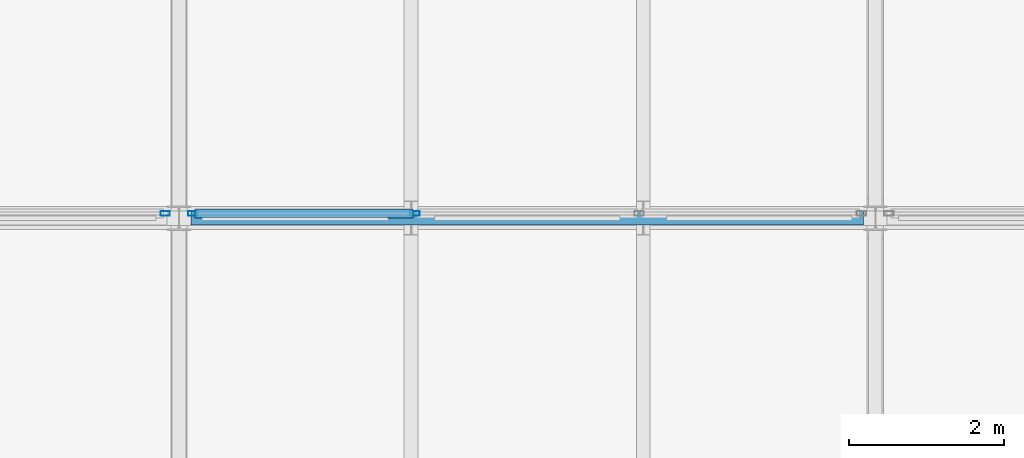
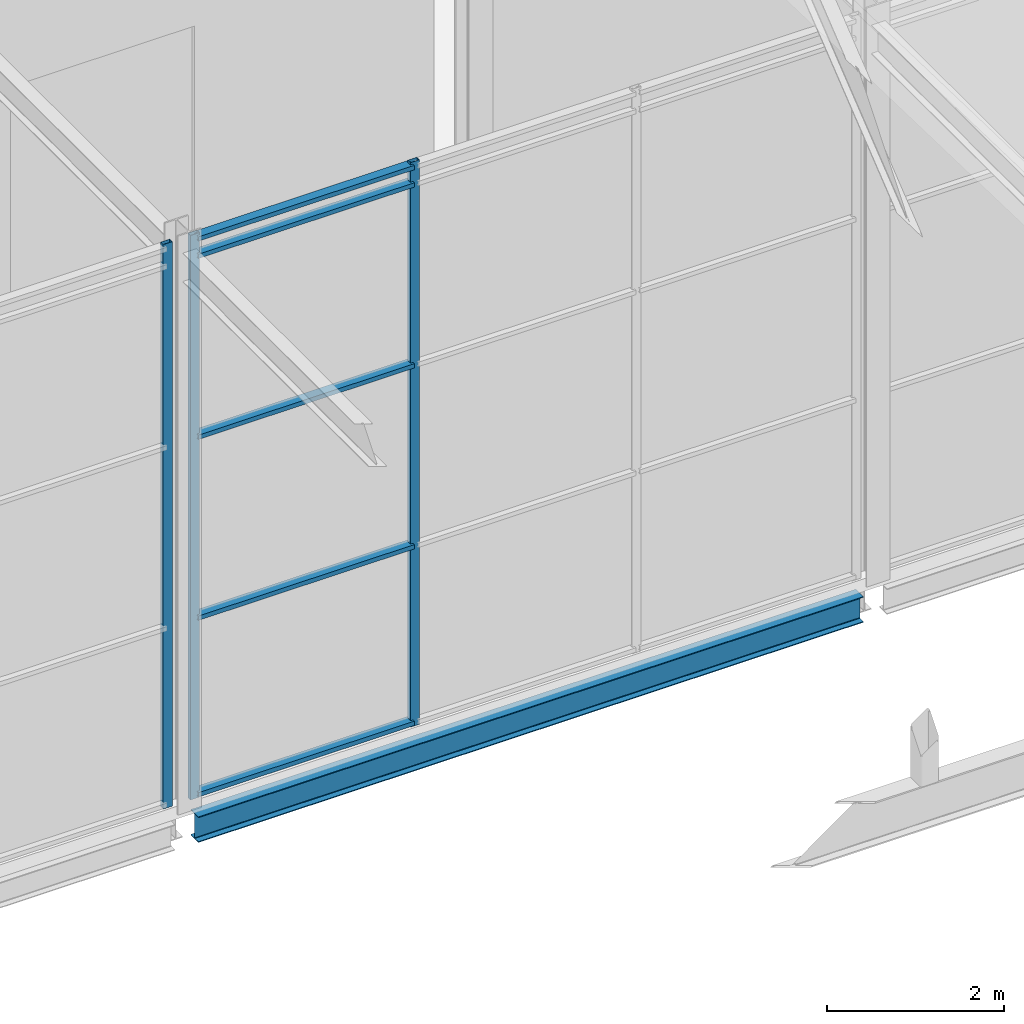
# One storey, part 47 of 144: 8 members, 1 beam, 2 elements without a shape of their own.
"""IFC4 building model written with IfcOpenShell, lengths in metres."""

from ifc_helpers import new_model, si_unit, direction, frame, origin, origin_2d, place, context, subcontext, project, spatial, hollow_rectangle, i_section, extrude, material, layer, layer_set, material_profile, profile_set, type_object, element, aggregate, save


model = new_model("IFC4")

# Units and contexts
model_context = context("Model", 3, precision=1e-05, world=origin(), true_north=direction((0.0, 1.0)))
body_context = subcontext(model_context, "Body", "Model", "MODEL_VIEW")
ifc_project = project(units=[si_unit("LENGTHUNIT", "METRE"), si_unit("AREAUNIT", "SQUARE_METRE"), si_unit("VOLUMEUNIT", "CUBIC_METRE"), si_unit("PLANEANGLEUNIT", "RADIAN"), si_unit("MASSUNIT", "GRAM", prefix="KILO")], contexts=[model_context])

# Site, building, storey
site_placement = place(None, origin())
site = spatial("IfcSite", under=ifc_project, at=site_placement, CompositionType="ELEMENT")
building_placement = place(site_placement, origin())
building = spatial("IfcBuilding", under=site, at=building_placement, Name="Shorebreak Coast Museum", CompositionType="ELEMENT")
storey_placement = place(building_placement, frame((0.0, 0.0, 36.0)))
storey = spatial("IfcBuildingStorey", under=building, at=storey_placement, Name="L06", CompositionType="ELEMENT", Elevation=36.0)

# Beam
ifc_material_1 = material(Name="Steel Grade 300", Category="steel")
ifc_material_profile_1 = material_profile(ifc_material_1, i_section(OverallWidth=0.1708984375, OverallDepth=0.355712890625, WebThickness=0.00732421875, FlangeThickness=0.011474609375, FilletRadius=0.011474609375, at=origin_2d()), Name="360UB50.7")
ifc_profile_set_1 = profile_set([ifc_material_profile_1], Name="Steel Grade 300")
beam_type = type_object("IfcBeamType", Name="Floor girder east-west 360UB50.7", PredefinedType="BEAM", material=ifc_profile_set_1)
beam_placement = place(storey_placement, frame((72.153564453125, 81.0, -0.352783203125), z_axis=(1.0, 0.0, 0.0), x_axis=(0.0, 1.0, 0.0)))
element("IfcBeam", 1, at=beam_placement, inside=storey, type_object=beam_type, Name="Floor girder east-west L06 9K", PredefinedType="BEAM", context=body_context, shape_type="SweptSolid", body=[
    extrude(i_section(OverallWidth=0.1708984375, OverallDepth=0.355712890625, WebThickness=0.00732421875, FlangeThickness=0.011474609375, FilletRadius=0.011474609375, at=origin_2d()), origin(), (0.0, 0.0, 1.0), 8.69287109375),
])

# Curtain wall, member
ifc_material_2 = material(Name="Aluminium", Category="aluminium")
ifc_layer = layer(ifc_material_2, 0.1201171875)
ifc_layer_set = layer_set([ifc_layer], Name="Aluminium")
curtain_wall_type = type_object("IfcCurtainWallType", Name="Atrium fire screen", PredefinedType="NOTDEFINED", material=ifc_layer_set)
curtain_wall_1_placement = place(storey_placement, origin())
curtain_wall_1 = element("IfcCurtainWall", 2, at=curtain_wall_1_placement, inside=storey, type_object=curtain_wall_type, Name="Atrium screen L06 N 84", PredefinedType="NOTDEFINED")
ifc_material_3 = material(Name="Aluminium", Category="aluminium")
ifc_material_profile_2 = material_profile(ifc_material_3, hollow_rectangle(XDim=0.06005859375, YDim=0.1201171875, WallThickness=0.00341796875, at=origin_2d()), Name="AL 120x60 RHS")
ifc_profile_set_2 = profile_set([ifc_material_profile_2], Name="Aluminium")
member_type_1 = type_object("IfcMemberType", Name="Screen mullion 50 x 120", PredefinedType="MULLION", material=ifc_profile_set_2)
member_1_placement = place(storey_placement, frame((71.821533203125, 81.06005859375, 0.0), z_axis=(0.0, 0.0, 1.0), x_axis=(0.0, 1.0, 0.0)))
member_1 = element("IfcMember", 3, at=member_1_placement, type_object=member_type_1, Name="CW4 mullion 4", PredefinedType="MULLION", context=body_context, shape_type="SweptSolid", body=[
    extrude(hollow_rectangle(XDim=0.06005859375, YDim=0.1201171875, WallThickness=0.00341796875, at=origin_2d()), origin(), (0.0, 0.0, 1.0), 7.800048828125),
])
aggregate(curtain_wall_1, [member_1])

# Curtain wall, members
curtain_wall_2_placement = place(storey_placement, origin())
curtain_wall_2 = element("IfcCurtainWall", 4, at=curtain_wall_2_placement, inside=storey, type_object=curtain_wall_type, Name="Atrium screen L06 N 85", PredefinedType="NOTDEFINED")
member_2_placement = place(storey_placement, frame((72.178466796875, 81.06005859375, 0.0), z_axis=(0.0, 0.0, 1.0), x_axis=(0.0, 1.0, 0.0)))
member_2 = element("IfcMember", 5, at=member_2_placement, type_object=member_type_1, Name="CW5 mullion 1", PredefinedType="MULLION", context=body_context, shape_type="SweptSolid", body=[
    extrude(hollow_rectangle(XDim=0.06005859375, YDim=0.1201171875, WallThickness=0.00341796875, at=origin_2d()), origin(), (0.0, 0.0, 1.0), 7.800048828125),
])
member_3_placement = place(storey_placement, frame((75.05126953125, 81.06005859375, 0.0), z_axis=(0.0, 0.0, 1.0), x_axis=(0.0, 1.0, 0.0)))
member_3 = element("IfcMember", 6, at=member_3_placement, type_object=member_type_1, Name="CW5 mullion 2", PredefinedType="MULLION", context=body_context, shape_type="SweptSolid", body=[
    extrude(hollow_rectangle(XDim=0.06005859375, YDim=0.1201171875, WallThickness=0.00341796875, at=origin_2d()), origin(), (0.0, 0.0, 1.0), 7.800048828125),
])
ifc_material_4 = material(Name="Aluminium", Category="aluminium")
ifc_material_profile_3 = material_profile(ifc_material_4, hollow_rectangle(XDim=0.1201171875, YDim=0.06005859375, WallThickness=0.00341796875, at=origin_2d()), Name="AL 60x120 RHS")
ifc_profile_set_3 = profile_set([ifc_material_profile_3], Name="Aluminium")
member_type_2 = type_object("IfcMemberType", Name="Screen transom 120 x 50", PredefinedType="USERDEFINED", material=ifc_profile_set_3)
member_4_placement = place(storey_placement, frame((72.20361328125, 81.06005859375, 0.06005859375), z_axis=(1.0, 0.0, 0.0), x_axis=(0.0, 1.0, 0.0)))
member_4 = element("IfcMember", 7, at=member_4_placement, type_object=member_type_2, Name="CW5 transom 1.1", ObjectType="TRANSOM", PredefinedType="USERDEFINED", context=body_context, shape_type="SweptSolid", body=[
    extrude(hollow_rectangle(XDim=0.1201171875, YDim=0.06005859375, WallThickness=0.00341796875, at=origin_2d()), origin(), (0.0, 0.0, 1.0), 2.822509765625),
])
member_5_placement = place(storey_placement, frame((72.20361328125, 81.06005859375, 2.5), z_axis=(1.0, 0.0, 0.0), x_axis=(0.0, 1.0, 0.0)))
member_5 = element("IfcMember", 8, at=member_5_placement, type_object=member_type_2, Name="CW5 transom 1.2", ObjectType="TRANSOM", PredefinedType="USERDEFINED", context=body_context, shape_type="SweptSolid", body=[
    extrude(hollow_rectangle(XDim=0.1201171875, YDim=0.06005859375, WallThickness=0.00341796875, at=origin_2d()), origin(), (0.0, 0.0, 1.0), 2.822509765625),
])
member_6_placement = place(storey_placement, frame((72.20361328125, 81.06005859375, 5.0), z_axis=(1.0, 0.0, 0.0), x_axis=(0.0, 1.0, 0.0)))
member_6 = element("IfcMember", 9, at=member_6_placement, type_object=member_type_2, Name="CW5 transom 1.3", ObjectType="TRANSOM", PredefinedType="USERDEFINED", context=body_context, shape_type="SweptSolid", body=[
    extrude(hollow_rectangle(XDim=0.1201171875, YDim=0.06005859375, WallThickness=0.00341796875, at=origin_2d()), origin(), (0.0, 0.0, 1.0), 2.822509765625),
])
member_7_placement = place(storey_placement, frame((72.20361328125, 81.06005859375, 7.5), z_axis=(1.0, 0.0, 0.0), x_axis=(0.0, 1.0, 0.0)))
member_7 = element("IfcMember", 10, at=member_7_placement, type_object=member_type_2, Name="CW5 transom 1.4", ObjectType="TRANSOM", PredefinedType="USERDEFINED", context=body_context, shape_type="SweptSolid", body=[
    extrude(hollow_rectangle(XDim=0.1201171875, YDim=0.06005859375, WallThickness=0.00341796875, at=origin_2d()), origin(), (0.0, 0.0, 1.0), 2.822509765625),
])
member_8_placement = place(storey_placement, frame((72.20361328125, 81.06005859375, 7.739990234375), z_axis=(1.0, 0.0, 0.0), x_axis=(0.0, 1.0, 0.0)))
member_8 = element("IfcMember", 11, at=member_8_placement, type_object=member_type_2, Name="CW5 transom 1.5", ObjectType="TRANSOM", PredefinedType="USERDEFINED", context=body_context, shape_type="SweptSolid", body=[
    extrude(hollow_rectangle(XDim=0.1201171875, YDim=0.06005859375, WallThickness=0.00341796875, at=origin_2d()), origin(), (0.0, 0.0, 1.0), 2.822509765625),
])
aggregate(curtain_wall_2, [member_2, member_3, member_4, member_5, member_6, member_7, member_8])

save(model, "model.ifc")
